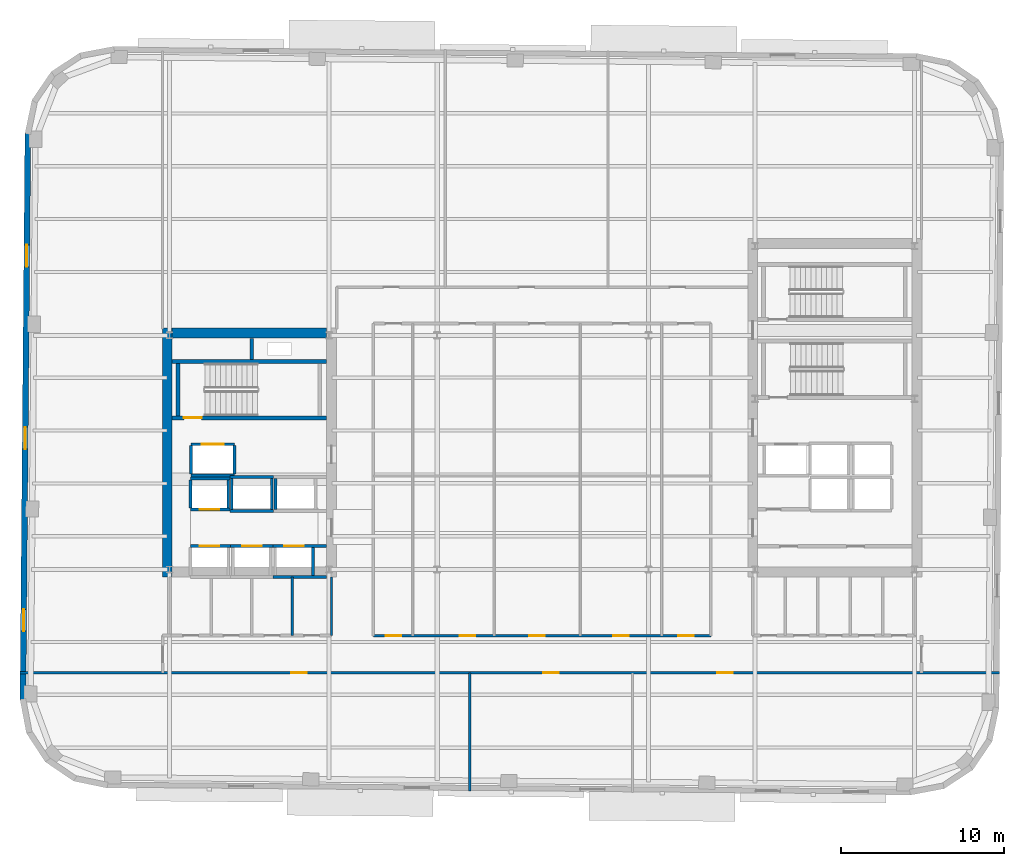
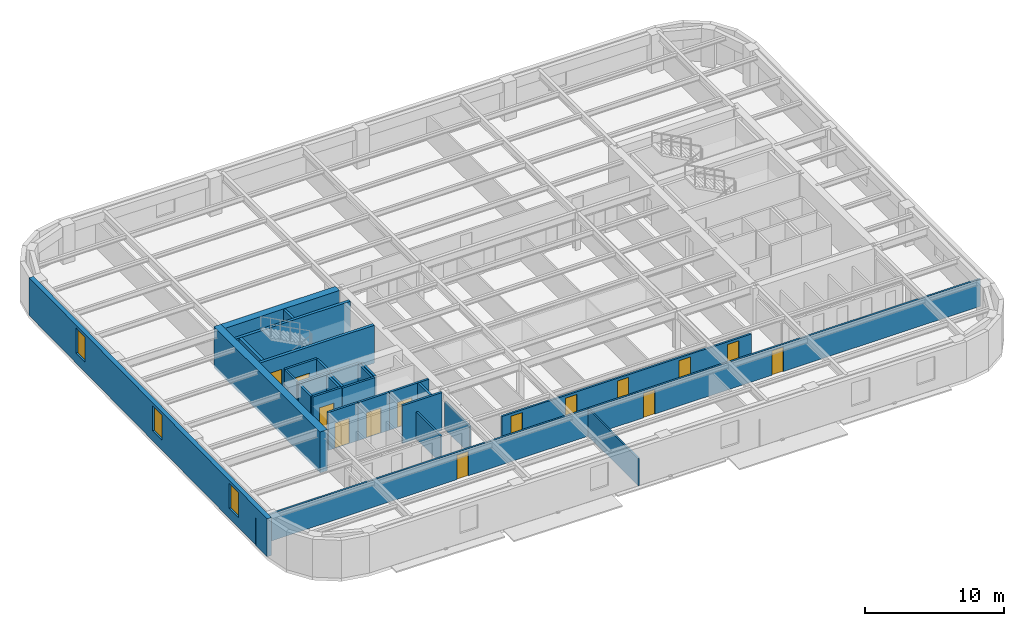
# One storey, part 4 of 11: 30 walls, 14 doors, 3 windows, 17 openings.
"""IFC4 building model written with IfcOpenShell, lengths in metres."""

from ifc_helpers import new_model, si_unit, direction, frame, frame_2d, origin, place, context, subcontext, project, spatial, rectangle, extrude, material, layer, layer_set, type_object, element, fill, save


model = new_model("IFC4")

# Units and contexts
model_context = context("Model", 3, precision=1e-05, world=origin(), true_north=direction((0.0, 1.0)))
body_context = subcontext(model_context, "Body", "Model", "MODEL_VIEW")
ifc_project = project(units=[si_unit("LENGTHUNIT", "METRE"), si_unit("AREAUNIT", "SQUARE_METRE"), si_unit("VOLUMEUNIT", "CUBIC_METRE"), si_unit("PLANEANGLEUNIT", "RADIAN"), si_unit("MASSUNIT", "GRAM", prefix="KILO")], contexts=[model_context])

# Site, building, storey
site_placement = place(None, origin())
site = spatial("IfcSite", under=ifc_project, at=site_placement, CompositionType="ELEMENT")
building_placement = place(site_placement, origin())
building = spatial("IfcBuilding", under=site, at=building_placement, Name="Kolvaren Arena Tower", CompositionType="ELEMENT")
storey_placement = place(building_placement, frame((0.0, 0.0, 207.199951171875)))
storey = spatial("IfcBuildingStorey", under=building, at=storey_placement, Name="L50", CompositionType="ELEMENT", Elevation=207.199951171875)

# Wall, openings, doors
ifc_material_1 = material(Name="Gypsum board acoustic assembly", Category="gypsum")
ifc_layer_1 = layer(ifc_material_1, 0.159912109375)
ifc_layer_set_1 = layer_set([ifc_layer_1], Name="Gypsum board acoustic assembly")
wall_type_1 = type_object("IfcWallType", Name="CORR-160", PredefinedType="PARTITIONING", material=ifc_layer_set_1)
wall_1_placement = place(storey_placement, frame((5.363525390625, 13.10009765625, 0.0), z_axis=(0.0, 0.0, 1.0), x_axis=(1.0, 0.0, 0.0)))
wall_1 = element("IfcWall", 1, at=wall_1_placement, inside=storey, type_object=wall_type_1, Name="Interior Partition Wall (L50)", PredefinedType="PARTITIONING", context=body_context, shape_type="SweptSolid", body=[
    extrude(rectangle(XDim=60.202392578125, YDim=0.159912109375, at=frame_2d((30.10107421875, 0.0))), origin(), (0.0, 0.0, 1.0), 2.39013671875),
])
opening_1_placement = place(wall_1_placement, frame((16.661376953125, 0.0, 0.0)))
opening_1 = element("IfcOpeningElement", 2, at=opening_1_placement, cuts=wall_1, Name="Opening D05", PredefinedType="OPENING", context=body_context, shape_type="SweptSolid", body=[
    extrude(rectangle(XDim=0.949951171875, YDim=2.14990234375, at=frame_2d((0.47509765625, 1.074951171875))), frame((0.0, 0.08984375, 0.0), z_axis=(0.0, -1.0, 0.0), x_axis=(1.0, 0.0, 0.0)), (0.0, 0.0, 1.0), 0.179931640625),
])
opening_2_placement = place(wall_1_placement, frame((32.161376953125, 0.0, 0.0)))
opening_2 = element("IfcOpeningElement", 3, at=opening_2_placement, cuts=wall_1, Name="Opening D05", PredefinedType="OPENING", context=body_context, shape_type="SweptSolid", body=[
    extrude(rectangle(XDim=0.949951171875, YDim=2.14990234375, at=frame_2d((0.47509765625, 1.074951171875))), frame((0.0, 0.08984375, 0.0), z_axis=(0.0, -1.0, 0.0), x_axis=(1.0, 0.0, 0.0)), (0.0, 0.0, 1.0), 0.179931640625),
])
opening_3_placement = place(wall_1_placement, frame((42.861328125, 0.0, 0.0)))
opening_3 = element("IfcOpeningElement", 4, at=opening_3_placement, cuts=wall_1, Name="Opening D05", PredefinedType="OPENING", context=body_context, shape_type="SweptSolid", body=[
    extrude(rectangle(XDim=0.949951171875, YDim=2.14990234375, at=frame_2d((0.47509765625, 1.074951171875))), frame((0.0, 0.08984375, 0.0), z_axis=(0.0, -1.0, 0.0), x_axis=(1.0, 0.0, 0.0)), (0.0, 0.0, 1.0), 0.179931640625),
])
ifc_material_2 = material(Name="Solid-core oak acoustic office door", Category="wood")
door_type_1 = type_object("IfcDoorType", Name="DOOR-OF-095", OperationType="NOTDEFINED", PredefinedType="DOOR", material=ifc_material_2)
door_1_placement = place(opening_1_placement, origin())
door_1 = element("IfcDoor", 5, at=door_1_placement, inside=storey, type_object=door_type_1, Name="Design Studio Door (L50)", OperationType="SINGLE_SWING_RIGHT", OverallHeight=2.14990234375, OverallWidth=0.949951171875, PredefinedType="DOOR", context=body_context, shape_type="SweptSolid", body=[
    extrude(rectangle(XDim=0.949951171875, YDim=2.14990234375, at=frame_2d((0.47509765625, 1.074951171875))), frame((0.0, 0.02490234375, 0.0), z_axis=(0.0, -1.0, 0.0), x_axis=(1.0, 0.0, 0.0)), (0.0, 0.0, 1.0), 0.050048828125),
])
fill(opening_1, door_1)
door_2_placement = place(opening_2_placement, origin())
door_2 = element("IfcDoor", 6, at=door_2_placement, inside=storey, type_object=door_type_1, Name="Meeting Room Door (L50)", OperationType="SINGLE_SWING_LEFT", OverallHeight=2.14990234375, OverallWidth=0.949951171875, PredefinedType="DOOR", context=body_context, shape_type="SweptSolid", body=[
    extrude(rectangle(XDim=0.949951171875, YDim=2.14990234375, at=frame_2d((0.47509765625, 1.074951171875))), frame((0.0, 0.02490234375, 0.0), z_axis=(0.0, -1.0, 0.0), x_axis=(1.0, 0.0, 0.0)), (0.0, 0.0, 1.0), 0.050048828125),
])
fill(opening_2, door_2)
door_3_placement = place(opening_3_placement, origin())
door_3 = element("IfcDoor", 7, at=door_3_placement, inside=storey, type_object=door_type_1, Name="Design Studio Door (L50)", OperationType="SINGLE_SWING_RIGHT", OverallHeight=2.14990234375, OverallWidth=0.949951171875, PredefinedType="DOOR", context=body_context, shape_type="SweptSolid", body=[
    extrude(rectangle(XDim=0.949951171875, YDim=2.14990234375, at=frame_2d((0.47509765625, 1.074951171875))), frame((0.0, 0.02490234375, 0.0), z_axis=(0.0, -1.0, 0.0), x_axis=(1.0, 0.0, 0.0)), (0.0, 0.0, 1.0), 0.050048828125),
])
fill(opening_3, door_3)

wall_2_placement = place(storey_placement, frame((27.080078125, 15.3798828125, 0.0), z_axis=(0.0, 0.0, 1.0), x_axis=(1.0, 0.0, 0.0)))
wall_2 = element("IfcWall", 8, at=wall_2_placement, inside=storey, type_object=wall_type_1, Name="Interior Partition Wall (L50)", PredefinedType="PARTITIONING", context=body_context, shape_type="SweptSolid", body=[
    extrude(rectangle(XDim=20.739990234375, YDim=0.159912109375, at=frame_2d((10.3701171875, 0.0))), origin(), (0.0, 0.0, 1.0), 2.39013671875),
])
opening_4_placement = place(wall_2_placement, frame((0.7451171875, 0.0, 0.0)))
opening_4 = element("IfcOpeningElement", 9, at=opening_4_placement, cuts=wall_2, Name="Opening D05", PredefinedType="OPENING", context=body_context, shape_type="SweptSolid", body=[
    extrude(rectangle(XDim=0.949951171875, YDim=2.14990234375, at=frame_2d((0.47509765625, 1.074951171875))), frame((0.0, 0.08984375, 0.0), z_axis=(0.0, -1.0, 0.0), x_axis=(1.0, 0.0, 0.0)), (0.0, 0.0, 1.0), 0.179931640625),
])
opening_5_placement = place(wall_2_placement, frame((5.294921875, 0.0, 0.0)))
opening_5 = element("IfcOpeningElement", 10, at=opening_5_placement, cuts=wall_2, Name="Opening D05", PredefinedType="OPENING", context=body_context, shape_type="SweptSolid", body=[
    extrude(rectangle(XDim=0.949951171875, YDim=2.14990234375, at=frame_2d((0.47509765625, 1.074951171875))), frame((0.0, 0.08984375, 0.0), z_axis=(0.0, -1.0, 0.0), x_axis=(1.0, 0.0, 0.0)), (0.0, 0.0, 1.0), 0.179931640625),
])
opening_6_placement = place(wall_2_placement, frame((9.594970703125, 0.0, 0.0)))
opening_6 = element("IfcOpeningElement", 11, at=opening_6_placement, cuts=wall_2, Name="Opening D05", PredefinedType="OPENING", context=body_context, shape_type="SweptSolid", body=[
    extrude(rectangle(XDim=0.949951171875, YDim=2.14990234375, at=frame_2d((0.47509765625, 1.074951171875))), frame((0.0, 0.08984375, 0.0), z_axis=(0.0, -1.0, 0.0), x_axis=(1.0, 0.0, 0.0)), (0.0, 0.0, 1.0), 0.179931640625),
])
opening_7_placement = place(wall_2_placement, frame((14.7451171875, 0.0, 0.0)))
opening_7 = element("IfcOpeningElement", 12, at=opening_7_placement, cuts=wall_2, Name="Opening D05", PredefinedType="OPENING", context=body_context, shape_type="SweptSolid", body=[
    extrude(rectangle(XDim=0.949951171875, YDim=2.14990234375, at=frame_2d((0.47509765625, 1.074951171875))), frame((0.0, 0.08984375, 0.0), z_axis=(0.0, -1.0, 0.0), x_axis=(1.0, 0.0, 0.0)), (0.0, 0.0, 1.0), 0.179931640625),
])
opening_8_placement = place(wall_2_placement, frame((18.7451171875, 0.0, 0.0)))
opening_8 = element("IfcOpeningElement", 13, at=opening_8_placement, cuts=wall_2, Name="Opening D05", PredefinedType="OPENING", context=body_context, shape_type="SweptSolid", body=[
    extrude(rectangle(XDim=0.949951171875, YDim=2.14990234375, at=frame_2d((0.47509765625, 1.074951171875))), frame((0.0, 0.08984375, 0.0), z_axis=(0.0, -1.0, 0.0), x_axis=(1.0, 0.0, 0.0)), (0.0, 0.0, 1.0), 0.179931640625),
])
door_4_placement = place(opening_4_placement, origin())
door_4 = element("IfcDoor", 14, at=door_4_placement, inside=storey, type_object=door_type_1, Name="Meeting Room Door (L50)", OperationType="SINGLE_SWING_LEFT", OverallHeight=2.14990234375, OverallWidth=0.949951171875, PredefinedType="DOOR", context=body_context, shape_type="SweptSolid", body=[
    extrude(rectangle(XDim=0.949951171875, YDim=2.14990234375, at=frame_2d((0.47509765625, 1.074951171875))), frame((0.0, 0.02490234375, 0.0), z_axis=(0.0, -1.0, 0.0), x_axis=(1.0, 0.0, 0.0)), (0.0, 0.0, 1.0), 0.050048828125),
])
fill(opening_4, door_4)
door_5_placement = place(opening_5_placement, origin())
door_5 = element("IfcDoor", 15, at=door_5_placement, inside=storey, type_object=door_type_1, Name="Client Lounge Door (L50)", OperationType="SINGLE_SWING_LEFT", OverallHeight=2.14990234375, OverallWidth=0.949951171875, PredefinedType="DOOR", context=body_context, shape_type="SweptSolid", body=[
    extrude(rectangle(XDim=0.949951171875, YDim=2.14990234375, at=frame_2d((0.47509765625, 1.074951171875))), frame((0.0, 0.02490234375, 0.0), z_axis=(0.0, -1.0, 0.0), x_axis=(1.0, 0.0, 0.0)), (0.0, 0.0, 1.0), 0.050048828125),
])
fill(opening_5, door_5)
door_6_placement = place(opening_6_placement, origin())
door_6 = element("IfcDoor", 16, at=door_6_placement, inside=storey, type_object=door_type_1, Name="Breakout Pantry and Kitchen Door (L50)", OperationType="SINGLE_SWING_LEFT", OverallHeight=2.14990234375, OverallWidth=0.949951171875, PredefinedType="DOOR", context=body_context, shape_type="SweptSolid", body=[
    extrude(rectangle(XDim=0.949951171875, YDim=2.14990234375, at=frame_2d((0.47509765625, 1.074951171875))), frame((0.0, 0.02490234375, 0.0), z_axis=(0.0, -1.0, 0.0), x_axis=(1.0, 0.0, 0.0)), (0.0, 0.0, 1.0), 0.050048828125),
])
fill(opening_6, door_6)
door_7_placement = place(opening_7_placement, origin())
door_7 = element("IfcDoor", 17, at=door_7_placement, inside=storey, type_object=door_type_1, Name="Meeting Room Door (L50)", OperationType="SINGLE_SWING_LEFT", OverallHeight=2.14990234375, OverallWidth=0.949951171875, PredefinedType="DOOR", context=body_context, shape_type="SweptSolid", body=[
    extrude(rectangle(XDim=0.949951171875, YDim=2.14990234375, at=frame_2d((0.47509765625, 1.074951171875))), frame((0.0, 0.02490234375, 0.0), z_axis=(0.0, -1.0, 0.0), x_axis=(1.0, 0.0, 0.0)), (0.0, 0.0, 1.0), 0.050048828125),
])
fill(opening_7, door_7)
door_8_placement = place(opening_8_placement, origin())
door_8 = element("IfcDoor", 18, at=door_8_placement, inside=storey, type_object=door_type_1, Name="Client Lounge Door (L50)", OperationType="SINGLE_SWING_LEFT", OverallHeight=2.14990234375, OverallWidth=0.949951171875, PredefinedType="DOOR", context=body_context, shape_type="SweptSolid", body=[
    extrude(rectangle(XDim=0.949951171875, YDim=2.14990234375, at=frame_2d((0.47509765625, 1.074951171875))), frame((0.0, 0.02490234375, 0.0), z_axis=(0.0, -1.0, 0.0), x_axis=(1.0, 0.0, 0.0)), (0.0, 0.0, 1.0), 0.050048828125),
])
fill(opening_8, door_8)

# Walls
ifc_material_3 = material(Name="Concrete 60 MPa", Category="concrete")
ifc_layer_2 = layer(ifc_material_3, 0.60009765625)
ifc_layer_set_2 = layer_set([ifc_layer_2], Name="Concrete 60 MPa")
wall_type_2 = type_object("IfcWallType", Name="CWALL-600", PredefinedType="SHEAR", material=ifc_layer_set_2)
wall_3_placement = place(storey_placement, frame((14.39990234375, 19.0, -0.27001953125), z_axis=(0.0, 0.0, 1.0), x_axis=(0.0, 1.0, 0.0)))
element("IfcWall", 19, at=wall_3_placement, inside=storey, type_object=wall_type_2, Name="Core Shear Wall WC-WEST (L50)", PredefinedType="SHEAR", context=body_context, shape_type="SweptSolid", body=[
    extrude(rectangle(XDim=15.300048828125, YDim=0.60009765625, at=frame_2d((7.64990234375, 0.0))), origin(), (0.0, 0.0, 1.0), 3.60009765625),
])
wall_4_placement = place(storey_placement, frame((14.699951171875, 34.0, -0.27001953125), z_axis=(0.0, 0.0, 1.0), x_axis=(1.0, 0.0, 0.0)))
element("IfcWall", 20, at=wall_4_placement, inside=storey, type_object=wall_type_2, Name="Core Shear Wall WC-NORTH (L50)", PredefinedType="SHEAR", context=body_context, shape_type="SweptSolid", body=[
    extrude(rectangle(XDim=9.5, YDim=0.60009765625, at=frame_2d((4.75, 0.0))), origin(), (0.0, 0.0, 1.0), 3.60009765625),
])

# Wall, openings, windows
ifc_material_4 = material(Name="Precast concrete C50/60", Category="concrete")
ifc_layer_3 = layer(ifc_material_4, 0.360107421875)
ifc_layer_set_3 = layer_set([ifc_layer_3], Name="Precast concrete C50/60")
wall_type_3 = type_object("IfcWallType", Name="EXT-PIER2", PredefinedType="SOLIDWALL", material=ifc_layer_set_3)
wall_5_placement = place(storey_placement, frame((5.529296875, 11.461669921875, 0.0), z_axis=(0.0, 0.0, 1.0), x_axis=(0.008727287311, 0.999961916503, 0.0)))
wall_5 = element("IfcWall", 21, at=wall_5_placement, inside=storey, type_object=wall_type_3, Name="Exterior Precast Masonry-Frame Wall (L50)", PredefinedType="SOLIDWALL", context=body_context, shape_type="SweptSolid", body=[
    extrude(rectangle(XDim=34.800048828125, YDim=0.360107421875, at=frame_2d((17.39990234375, 0.0))), origin(), (0.0, 0.0, 1.0), 3.330078125),
])
opening_9_placement = place(wall_5_placement, frame((4.199951171875, 0.0, 0.8798828125)))
opening_9 = element("IfcOpeningElement", 22, at=opening_9_placement, cuts=wall_5, Name="Opening W04", PredefinedType="OPENING", context=body_context, shape_type="SweptSolid", body=[
    extrude(rectangle(XDim=1.35009765625, YDim=2.199951171875, at=frame_2d((0.675048828125, 1.10009765625))), frame((0.0, 0.18994140625, 0.0), z_axis=(0.0, -1.0, 0.0), x_axis=(1.0, 0.0, 0.0)), (0.0, 0.0, 1.0), 0.380126953125),
])
opening_10_placement = place(wall_5_placement, frame((15.39990234375, 0.0, 0.8798828125)))
opening_10 = element("IfcOpeningElement", 23, at=opening_10_placement, cuts=wall_5, Name="Opening W04", PredefinedType="OPENING", context=body_context, shape_type="SweptSolid", body=[
    extrude(rectangle(XDim=1.35009765625, YDim=2.199951171875, at=frame_2d((0.675048828125, 1.10009765625))), frame((0.0, 0.18994140625, 0.0), z_axis=(0.0, -1.0, 0.0), x_axis=(1.0, 0.0, 0.0)), (0.0, 0.0, 1.0), 0.380126953125),
])
opening_11_placement = place(wall_5_placement, frame((26.60009765625, 0.0, 0.8798828125)))
opening_11 = element("IfcOpeningElement", 24, at=opening_11_placement, cuts=wall_5, Name="Opening W04", PredefinedType="OPENING", context=body_context, shape_type="SweptSolid", body=[
    extrude(rectangle(XDim=1.35009765625, YDim=2.199951171875, at=frame_2d((0.675048828125, 1.10009765625))), frame((0.0, 0.18994140625, 0.0), z_axis=(0.0, -1.0, 0.0), x_axis=(1.0, 0.0, 0.0)), (0.0, 0.0, 1.0), 0.380126953125),
])
ifc_material_5 = material(Name="Triple-glazed curved-facet corner window", Category="glass")
window_type = type_object("IfcWindowType", Name="WIN-CRN-A", PartitioningType="SINGLE_PANEL", PredefinedType="WINDOW", material=ifc_material_5)
window_1_placement = place(opening_9_placement, origin())
window_1 = element("IfcWindow", 25, at=window_1_placement, inside=storey, type_object=window_type, Name="End-Wall Punched Window (L50)", OverallHeight=2.199951171875, OverallWidth=1.35009765625, PartitioningType="SINGLE_PANEL", PredefinedType="WINDOW", context=body_context, shape_type="SweptSolid", body=[
    extrude(rectangle(XDim=1.35009765625, YDim=2.199951171875, at=frame_2d((0.675048828125, 1.10009765625))), frame((0.0, 0.030029296875, 0.0), z_axis=(0.0, -1.0, 0.0), x_axis=(1.0, 0.0, 0.0)), (0.0, 0.0, 1.0), 0.06005859375),
])
fill(opening_9, window_1)
window_2_placement = place(opening_10_placement, origin())
window_2 = element("IfcWindow", 26, at=window_2_placement, inside=storey, type_object=window_type, Name="End-Wall Punched Window (L50)", OverallHeight=2.199951171875, OverallWidth=1.35009765625, PartitioningType="SINGLE_PANEL", PredefinedType="WINDOW", context=body_context, shape_type="SweptSolid", body=[
    extrude(rectangle(XDim=1.35009765625, YDim=2.199951171875, at=frame_2d((0.675048828125, 1.10009765625))), frame((0.0, 0.030029296875, 0.0), z_axis=(0.0, -1.0, 0.0), x_axis=(1.0, 0.0, 0.0)), (0.0, 0.0, 1.0), 0.06005859375),
])
fill(opening_10, window_2)
window_3_placement = place(opening_11_placement, origin())
window_3 = element("IfcWindow", 27, at=window_3_placement, inside=storey, type_object=window_type, Name="End-Wall Punched Window (L50)", OverallHeight=2.199951171875, OverallWidth=1.35009765625, PartitioningType="SINGLE_PANEL", PredefinedType="WINDOW", context=body_context, shape_type="SweptSolid", body=[
    extrude(rectangle(XDim=1.35009765625, YDim=2.199951171875, at=frame_2d((0.675048828125, 1.10009765625))), frame((0.0, 0.030029296875, 0.0), z_axis=(0.0, -1.0, 0.0), x_axis=(1.0, 0.0, 0.0)), (0.0, 0.0, 1.0), 0.06005859375),
])
fill(opening_11, window_3)

# Wall
ifc_material_6 = material(Name="Gypsum board partition assembly", Category="gypsum")
ifc_layer_4 = layer(ifc_material_6, 0.135009765625)
ifc_layer_set_4 = layer_set([ifc_layer_4], Name="Gypsum board partition assembly")
wall_type_4 = type_object("IfcWallType", Name="PART-135", PredefinedType="PARTITIONING", material=ifc_layer_set_4)
wall_6_placement = place(storey_placement, frame((33.0, 5.82177734375, 0.0), z_axis=(0.0, 0.0, 1.0), x_axis=(0.0, 1.0, 0.0)))
element("IfcWall", 28, at=wall_6_placement, inside=storey, type_object=wall_type_4, Name="Interior Partition Wall (L50)", PredefinedType="PARTITIONING", context=body_context, shape_type="SweptSolid", body=[
    extrude(rectangle(XDim=7.2783203125, YDim=0.135009765625, at=frame_2d((3.63916015625, 0.0))), origin(), (0.0, 0.0, 1.0), 2.39013671875),
])

# Wall, opening, door
ifc_material_7 = material(Name="Concrete 45 MPa", Category="concrete")
ifc_layer_5 = layer(ifc_material_7, 0.25)
ifc_layer_set_5 = layer_set([ifc_layer_5], Name="Concrete 45 MPa")
wall_type_5 = type_object("IfcWallType", Name="SHAFT-250", PredefinedType="SOLIDWALL", material=ifc_layer_set_5)
wall_7_placement = place(storey_placement, frame((24.199951171875, 28.780029296875, 0.0), z_axis=(0.0, 0.0, 1.0), x_axis=(-1.0, 0.0, 0.0)))
wall_7 = element("IfcWall", 29, at=wall_7_placement, inside=storey, type_object=wall_type_5, Name="Core Shaft Wall (L50)", PredefinedType="SOLIDWALL", context=body_context, shape_type="SweptSolid", body=[
    extrude(rectangle(XDim=9.5, YDim=0.239990234375, at=frame_2d((4.75, 0.0))), origin(), (0.0, 0.0, 1.0), 3.330078125),
])
opening_12_placement = place(wall_7_placement, frame((7.679931640625, 0.0, 0.0)))
opening_12 = element("IfcOpeningElement", 30, at=opening_12_placement, cuts=wall_7, Name="Opening D03", PredefinedType="OPENING", context=body_context, shape_type="SweptSolid", body=[
    extrude(rectangle(XDim=1.10009765625, YDim=2.14990234375, at=frame_2d((0.550048828125, 1.074951171875))), frame((0.0, 0.1298828125, 0.0), z_axis=(0.0, -1.0, 0.0), x_axis=(1.0, 0.0, 0.0)), (0.0, 0.0, 1.0), 0.260009765625),
])
ifc_material_8 = material(Name="Fire-rated steel exit stair door", Category="steel")
door_type_2 = type_object("IfcDoorType", Name="DOOR-ST-110", OperationType="NOTDEFINED", PredefinedType="DOOR", material=ifc_material_8)
door_9_placement = place(opening_12_placement, origin())
door_9 = element("IfcDoor", 31, at=door_9_placement, inside=storey, type_object=door_type_2, Name="Stair ST-W1 Fire Door (L50)", OperationType="SINGLE_SWING_RIGHT", OverallHeight=2.14990234375, OverallWidth=1.10009765625, PredefinedType="DOOR", context=body_context, shape_type="SweptSolid", body=[
    extrude(rectangle(XDim=1.10009765625, YDim=2.14990234375, at=frame_2d((0.550048828125, 1.074951171875))), frame((0.0, 0.02490234375, 0.0), z_axis=(0.0, -1.0, 0.0), x_axis=(1.0, 0.0, 0.0)), (0.0, 0.0, 1.0), 0.050048828125),
])
fill(opening_12, door_9)

# Walls
wall_8_placement = place(storey_placement, frame((14.699951171875, 32.25, 0.0), z_axis=(0.0, 0.0, 1.0), x_axis=(1.0, 0.0, 0.0)))
element("IfcWall", 32, at=wall_8_placement, inside=storey, type_object=wall_type_5, Name="Core Shaft Wall (L50)", PredefinedType="SOLIDWALL", context=body_context, shape_type="SweptSolid", body=[
    extrude(rectangle(XDim=9.5, YDim=0.239990234375, at=frame_2d((4.75, 0.0))), origin(), (0.0, 0.0, 1.0), 3.330078125),
])
wall_9_placement = place(storey_placement, frame((15.06005859375, 28.89990234375, 0.0), z_axis=(0.0, 0.0, 1.0), x_axis=(0.0, 1.0, 0.0)))
element("IfcWall", 33, at=wall_9_placement, inside=storey, type_object=wall_type_5, Name="Core Shaft Wall (L50)", PredefinedType="SOLIDWALL", context=body_context, shape_type="SweptSolid", body=[
    extrude(rectangle(XDim=3.22998046875, YDim=0.239990234375, at=frame_2d((1.614990234375, 0.0))), origin(), (0.0, 0.0, 1.0), 3.330078125),
])
wall_10_placement = place(storey_placement, frame((19.60009765625, 32.3701171875, 0.0), z_axis=(0.0, 0.0, 1.0), x_axis=(0.0, 1.0, 0.0)))
element("IfcWall", 34, at=wall_10_placement, inside=storey, type_object=wall_type_5, Name="Core Shaft Wall (L50)", PredefinedType="SOLIDWALL", context=body_context, shape_type="SweptSolid", body=[
    extrude(rectangle(XDim=1.27978515625, YDim=0.199951171875, at=frame_2d((0.639892578125, 0.0))), origin(), (0.0, 0.0, 1.0), 3.330078125),
])

# Wall, opening, door
wall_11_placement = place(storey_placement, frame((15.844970703125, 20.905029296875, 0.0), z_axis=(0.0, 0.0, 1.0), x_axis=(1.0, 0.0, 0.0)))
wall_11 = element("IfcWall", 35, at=wall_11_placement, inside=storey, type_object=wall_type_5, Name="Core Shaft Wall (L50)", PredefinedType="SOLIDWALL", context=body_context, shape_type="SweptSolid", body=[
    extrude(rectangle(XDim=2.455078125, YDim=0.179931640625, at=frame_2d((1.2275390625, 0.0))), origin(), (0.0, 0.0, 1.0), 3.330078125),
])
opening_13_placement = place(wall_11_placement, frame((0.554931640625, 0.0, 0.0)))
opening_13 = element("IfcOpeningElement", 36, at=opening_13_placement, cuts=wall_11, Name="Opening LD1", PredefinedType="OPENING", context=body_context, shape_type="SweptSolid", body=[
    extrude(rectangle(XDim=1.199951171875, YDim=2.199951171875, at=frame_2d((0.60009765625, 1.10009765625))), frame((0.0, 0.099853515625, 0.0), z_axis=(0.0, -1.0, 0.0), x_axis=(1.0, 0.0, 0.0)), (0.0, 0.0, 1.0), 0.199951171875),
])
ifc_material_9 = material(Name="Stainless steel passenger lift landing door", Category="steel")
door_type_3 = type_object("IfcDoorType", Name="DOOR-LD-120", OperationType="DOUBLE_DOOR_SLIDING", PredefinedType="DOOR", material=ifc_material_9)
door_10_placement = place(opening_13_placement, origin())
door_10 = element("IfcDoor", 37, at=door_10_placement, inside=storey, type_object=door_type_3, Name="Lift EL-MR1 Landing Door (L50)", OperationType="DOUBLE_DOOR_SLIDING", OverallHeight=2.199951171875, OverallWidth=1.199951171875, PredefinedType="DOOR", context=body_context, shape_type="SweptSolid", body=[
    extrude(rectangle(XDim=1.199951171875, YDim=2.199951171875, at=frame_2d((0.60009765625, 1.10009765625))), frame((0.0, 0.02490234375, 0.0), z_axis=(0.0, -1.0, 0.0), x_axis=(1.0, 0.0, 0.0)), (0.0, 0.0, 1.0), 0.050048828125),
])
fill(opening_13, door_10)

wall_12_placement = place(storey_placement, frame((18.300048828125, 20.905029296875, 0.0), z_axis=(0.0, 0.0, 1.0), x_axis=(1.0, 0.0, 0.0)))
wall_12 = element("IfcWall", 38, at=wall_12_placement, inside=storey, type_object=wall_type_5, Name="Core Shaft Wall (L50)", PredefinedType="SOLIDWALL", context=body_context, shape_type="SweptSolid", body=[
    extrude(rectangle(XDim=2.599853515625, YDim=0.179931640625, at=frame_2d((1.2998046875, 0.0))), origin(), (0.0, 0.0, 1.0), 3.330078125),
])
opening_14_placement = place(wall_12_placement, frame((0.699951171875, 0.0, 0.0)))
opening_14 = element("IfcOpeningElement", 39, at=opening_14_placement, cuts=wall_12, Name="Opening LD1", PredefinedType="OPENING", context=body_context, shape_type="SweptSolid", body=[
    extrude(rectangle(XDim=1.199951171875, YDim=2.199951171875, at=frame_2d((0.60009765625, 1.10009765625))), frame((0.0, 0.099853515625, 0.0), z_axis=(0.0, -1.0, 0.0), x_axis=(1.0, 0.0, 0.0)), (0.0, 0.0, 1.0), 0.199951171875),
])
door_11_placement = place(opening_14_placement, origin())
door_11 = element("IfcDoor", 40, at=door_11_placement, inside=storey, type_object=door_type_3, Name="Lift EL-MR2 Landing Door (L50)", OperationType="DOUBLE_DOOR_SLIDING", OverallHeight=2.199951171875, OverallWidth=1.199951171875, PredefinedType="DOOR", context=body_context, shape_type="SweptSolid", body=[
    extrude(rectangle(XDim=1.199951171875, YDim=2.199951171875, at=frame_2d((0.60009765625, 1.10009765625))), frame((0.0, 0.02490234375, 0.0), z_axis=(0.0, -1.0, 0.0), x_axis=(1.0, 0.0, 0.0)), (0.0, 0.0, 1.0), 0.050048828125),
])
fill(opening_14, door_11)

wall_13_placement = place(storey_placement, frame((20.89990234375, 20.905029296875, 0.0), z_axis=(0.0, 0.0, 1.0), x_axis=(1.0, 0.0, 0.0)))
wall_13 = element("IfcWall", 41, at=wall_13_placement, inside=storey, type_object=wall_type_5, Name="Core Shaft Wall (L50)", PredefinedType="SOLIDWALL", context=body_context, shape_type="SweptSolid", body=[
    extrude(rectangle(XDim=3.300048828125, YDim=0.179931640625, at=frame_2d((1.64990234375, 0.0))), origin(), (0.0, 0.0, 1.0), 3.330078125),
])
opening_15_placement = place(wall_13_placement, frame((0.699951171875, 0.0, 0.0)))
opening_15 = element("IfcOpeningElement", 42, at=opening_15_placement, cuts=wall_13, Name="Opening LD1", PredefinedType="OPENING", context=body_context, shape_type="SweptSolid", body=[
    extrude(rectangle(XDim=1.199951171875, YDim=2.199951171875, at=frame_2d((0.60009765625, 1.10009765625))), frame((0.0, 0.099853515625, 0.0), z_axis=(0.0, -1.0, 0.0), x_axis=(1.0, 0.0, 0.0)), (0.0, 0.0, 1.0), 0.199951171875),
])
door_12_placement = place(opening_15_placement, origin())
door_12 = element("IfcDoor", 43, at=door_12_placement, inside=storey, type_object=door_type_3, Name="Lift EL-MR3 Landing Door (L50)", OperationType="DOUBLE_DOOR_SLIDING", OverallHeight=2.199951171875, OverallWidth=1.199951171875, PredefinedType="DOOR", context=body_context, shape_type="SweptSolid", body=[
    extrude(rectangle(XDim=1.199951171875, YDim=2.199951171875, at=frame_2d((0.60009765625, 1.10009765625))), frame((0.0, 0.02490234375, 0.0), z_axis=(0.0, -1.0, 0.0), x_axis=(1.0, 0.0, 0.0)), (0.0, 0.0, 1.0), 0.050048828125),
])
fill(opening_15, door_12)

# Walls
wall_14_placement = place(storey_placement, frame((20.89990234375, 18.9951171875, 0.0), z_axis=(0.0, 0.0, 1.0), x_axis=(1.0, 0.0, 0.0)))
element("IfcWall", 44, at=wall_14_placement, inside=storey, type_object=wall_type_5, Name="Core Shaft Wall (L50)", PredefinedType="SOLIDWALL", context=body_context, shape_type="SweptSolid", body=[
    extrude(rectangle(XDim=3.300048828125, YDim=0.179931640625, at=frame_2d((1.64990234375, 0.0))), origin(), (0.0, 0.0, 1.0), 3.330078125),
])
wall_15_placement = place(storey_placement, frame((23.35498046875, 19.0849609375, 0.0), z_axis=(0.0, 0.0, 1.0), x_axis=(0.0, 1.0, 0.0)))
element("IfcWall", 45, at=wall_15_placement, inside=storey, type_object=wall_type_5, Name="Core Shaft Wall (L50)", PredefinedType="SOLIDWALL", context=body_context, shape_type="SweptSolid", body=[
    extrude(rectangle(XDim=1.72998046875, YDim=0.179931640625, at=frame_2d((0.864990234375, 0.0))), origin(), (0.0, 0.0, 1.0), 3.330078125),
])
wall_16_placement = place(storey_placement, frame((15.844970703125, 25.054931640625, 0.0), z_axis=(0.0, 0.0, 1.0), x_axis=(1.0, 0.0, 0.0)))
element("IfcWall", 46, at=wall_16_placement, inside=storey, type_object=wall_type_5, Name="Core Shaft Wall (L50)", PredefinedType="SOLIDWALL", context=body_context, shape_type="SweptSolid", body=[
    extrude(rectangle(XDim=2.41748046875, YDim=0.179931640625, at=frame_2d((1.208740234375, 0.0))), origin(), (0.0, 0.0, 1.0), 3.330078125),
])

# Wall, opening, door
wall_17_placement = place(storey_placement, frame((15.844970703125, 23.14501953125, 0.0), z_axis=(0.0, 0.0, 1.0), x_axis=(1.0, 0.0, 0.0)))
wall_17 = element("IfcWall", 47, at=wall_17_placement, inside=storey, type_object=wall_type_5, Name="Core Shaft Wall (L50)", PredefinedType="SOLIDWALL", context=body_context, shape_type="SweptSolid", body=[
    extrude(rectangle(XDim=2.41748046875, YDim=0.179931640625, at=frame_2d((1.208740234375, 0.0))), origin(), (0.0, 0.0, 1.0), 3.330078125),
])
opening_16_placement = place(wall_17_placement, frame((0.554931640625, 0.0, 0.0)))
opening_16 = element("IfcOpeningElement", 48, at=opening_16_placement, cuts=wall_17, Name="Opening LD1", PredefinedType="OPENING", context=body_context, shape_type="SweptSolid", body=[
    extrude(rectangle(XDim=1.199951171875, YDim=2.199951171875, at=frame_2d((0.60009765625, 1.10009765625))), frame((0.0, 0.099853515625, 0.0), z_axis=(0.0, -1.0, 0.0), x_axis=(1.0, 0.0, 0.0)), (0.0, 0.0, 1.0), 0.199951171875),
])
door_13_placement = place(opening_16_placement, origin())
door_13 = element("IfcDoor", 49, at=door_13_placement, inside=storey, type_object=door_type_3, Name="Lift EL-MR4 Landing Door (L50)", OperationType="DOUBLE_DOOR_SLIDING", OverallHeight=2.199951171875, OverallWidth=1.199951171875, PredefinedType="DOOR", context=body_context, shape_type="SweptSolid", body=[
    extrude(rectangle(XDim=1.199951171875, YDim=2.199951171875, at=frame_2d((0.60009765625, 1.10009765625))), frame((0.0, 0.02490234375, 0.0), z_axis=(0.0, -1.0, 0.0), x_axis=(1.0, 0.0, 0.0)), (0.0, 0.0, 1.0), 0.050048828125),
])
fill(opening_16, door_13)

# Walls
for number, where, z_axis, x_axis, name in (
    (50, (15.844970703125, 23.235107421875, 0.0), (0.0, 0.0, 1.0), (0.0, 1.0, 0.0), "Core Shaft Wall (L50)"),
    (51, (18.155029296875, 23.235107421875, 0.0), (0.0, 0.0, 1.0), (0.0, 1.0, 0.0), "Core Shaft Wall (L50)"),
):
    element("IfcWall", number, at=place(storey_placement, frame(where, z_axis=z_axis, x_axis=x_axis)), inside=storey, type_object=wall_type_5, Name=name, PredefinedType="SOLIDWALL", context=body_context, shape_type="SweptSolid", body=[
        extrude(rectangle(XDim=1.72998046875, YDim=0.179931640625, at=frame_2d((0.864990234375, 0.0))), origin(), (0.0, 0.0, 1.0), 3.330078125),
    ])
for number, where, z_axis, x_axis, name in (
    (52, (18.262451171875, 25.155029296875, 0.0), (0.0, 0.0, 1.0), (1.0, 0.0, 0.0), "Core Shaft Wall (L50)"),
    (53, (18.262451171875, 23.044921875, 0.0), (0.0, 0.0, 1.0), (1.0, 0.0, 0.0), "Core Shaft Wall (L50)"),
):
    element("IfcWall", number, at=place(storey_placement, frame(where, z_axis=z_axis, x_axis=x_axis)), inside=storey, type_object=wall_type_5, Name=name, PredefinedType="SOLIDWALL", context=body_context, shape_type="SweptSolid", body=[
        extrude(rectangle(XDim=2.6875, YDim=0.179931640625, at=frame_2d((1.34375, 0.0))), origin(), (0.0, 0.0, 1.0), 3.330078125),
    ])
for number, where, z_axis, x_axis, name in (
    (54, (18.3701171875, 23.135009765625, 0.0), (0.0, 0.0, 1.0), (0.0, 1.0, 0.0), "Core Shaft Wall (L50)"),
    (55, (20.830078125, 23.135009765625, 0.0), (0.0, 0.0, 1.0), (0.0, 1.0, 0.0), "Core Shaft Wall (L50)"),
    (56, (21.070068359375, 23.135009765625, 0.0), (0.0, 0.0, 1.0), (0.0, 1.0, 0.0), "Core Shaft Wall (L50)"),
):
    element("IfcWall", number, at=place(storey_placement, frame(where, z_axis=z_axis, x_axis=x_axis)), inside=storey, type_object=wall_type_5, Name=name, PredefinedType="SOLIDWALL", context=body_context, shape_type="SweptSolid", body=[
        extrude(rectangle(XDim=1.929931640625, YDim=0.179931640625, at=frame_2d((0.96484375, 0.0))), origin(), (0.0, 0.0, 1.0), 3.330078125),
    ])

# Wall, opening, door
wall_18_placement = place(storey_placement, frame((15.8701171875, 27.155029296875, 0.0), z_axis=(0.0, 0.0, 1.0), x_axis=(1.0, 0.0, 0.0)))
wall_18 = element("IfcWall", 57, at=wall_18_placement, inside=storey, type_object=wall_type_5, Name="Core Shaft Wall (L50)", PredefinedType="SOLIDWALL", context=body_context, shape_type="SweptSolid", body=[
    extrude(rectangle(XDim=2.659912109375, YDim=0.179931640625, at=frame_2d((1.330078125, 0.0))), origin(), (0.0, 0.0, 1.0), 3.330078125),
])
opening_17_placement = place(wall_18_placement, frame((0.655029296875, 0.0, 0.0)))
opening_17 = element("IfcOpeningElement", 58, at=opening_17_placement, cuts=wall_18, Name="Opening LD2", PredefinedType="OPENING", context=body_context, shape_type="SweptSolid", body=[
    extrude(rectangle(XDim=1.35009765625, YDim=2.300048828125, at=frame_2d((0.675048828125, 1.14990234375))), frame((0.0, 0.099853515625, 0.0), z_axis=(0.0, -1.0, 0.0), x_axis=(1.0, 0.0, 0.0)), (0.0, 0.0, 1.0), 0.199951171875),
])
ifc_material_10 = material(Name="Stainless steel firefighter lift landing door", Category="steel")
door_type_4 = type_object("IfcDoorType", Name="DOOR-LD-135", OperationType="DOUBLE_DOOR_SLIDING", PredefinedType="DOOR", material=ifc_material_10)
door_14_placement = place(opening_17_placement, origin())
door_14 = element("IfcDoor", 59, at=door_14_placement, inside=storey, type_object=door_type_4, Name="Firefighter Lift FF-W1 Landing Door (L50)", OperationType="DOUBLE_DOOR_SLIDING", OverallHeight=2.300048828125, OverallWidth=1.35009765625, PredefinedType="DOOR", context=body_context, shape_type="SweptSolid", body=[
    extrude(rectangle(XDim=1.35009765625, YDim=2.300048828125, at=frame_2d((0.675048828125, 1.14990234375))), frame((0.0, 0.02490234375, 0.0), z_axis=(0.0, -1.0, 0.0), x_axis=(1.0, 0.0, 0.0)), (0.0, 0.0, 1.0), 0.050048828125),
])
fill(opening_17, door_14)

# Walls
wall_19_placement = place(storey_placement, frame((15.8701171875, 25.2451171875, 0.0), z_axis=(0.0, 0.0, 1.0), x_axis=(1.0, 0.0, 0.0)))
element("IfcWall", 60, at=wall_19_placement, inside=storey, type_object=wall_type_5, Name="Core Shaft Wall (L50)", PredefinedType="SOLIDWALL", context=body_context, shape_type="SweptSolid", body=[
    extrude(rectangle(XDim=2.659912109375, YDim=0.179931640625, at=frame_2d((1.330078125, 0.0))), origin(), (0.0, 0.0, 1.0), 3.330078125),
])
for number, where, z_axis, x_axis, name in (
    (61, (15.8701171875, 25.3349609375, 0.0), (0.0, 0.0, 1.0), (0.0, 1.0, 0.0), "Core Shaft Wall (L50)"),
    (62, (18.530029296875, 25.3349609375, 0.0), (0.0, 0.0, 1.0), (0.0, 1.0, 0.0), "Core Shaft Wall (L50)"),
):
    element("IfcWall", number, at=place(storey_placement, frame(where, z_axis=z_axis, x_axis=x_axis)), inside=storey, type_object=wall_type_5, Name=name, PredefinedType="SOLIDWALL", context=body_context, shape_type="SweptSolid", body=[
        extrude(rectangle(XDim=1.72998046875, YDim=0.179931640625, at=frame_2d((0.864990234375, 0.0))), origin(), (0.0, 0.0, 1.0), 3.330078125),
    ])
ifc_material_11 = material(Name="Moisture-resistant gypsum assembly", Category="gypsum")
ifc_layer_6 = layer(ifc_material_11, 0.14990234375)
ifc_layer_set_6 = layer_set([ifc_layer_6], Name="Moisture-resistant gypsum assembly")
wall_type_6 = type_object("IfcWallType", Name="WETW-150", PredefinedType="PARTITIONING", material=ifc_layer_set_6)
for number, where, z_axis, x_axis, name in (
    (63, (22.10009765625, 15.39990234375, 0.0), (0.0, 0.0, 1.0), (0.0, 1.0, 0.0), "Interior Partition Wall (L50)"),
    (64, (24.5, 15.39990234375, 0.0), (0.0, 0.0, 1.0), (0.0, 1.0, 0.0), "Interior Partition Wall (L50)"),
):
    element("IfcWall", number, at=place(storey_placement, frame(where, z_axis=z_axis, x_axis=x_axis)), inside=storey, type_object=wall_type_6, Name=name, PredefinedType="PARTITIONING", context=body_context, shape_type="SweptSolid", body=[
        extrude(rectangle(XDim=3.580078125, YDim=0.14990234375, at=frame_2d((1.7900390625, 0.0))), origin(), (0.0, 0.0, 1.0), 2.39013671875),
    ])

save(model, "model.ifc")
